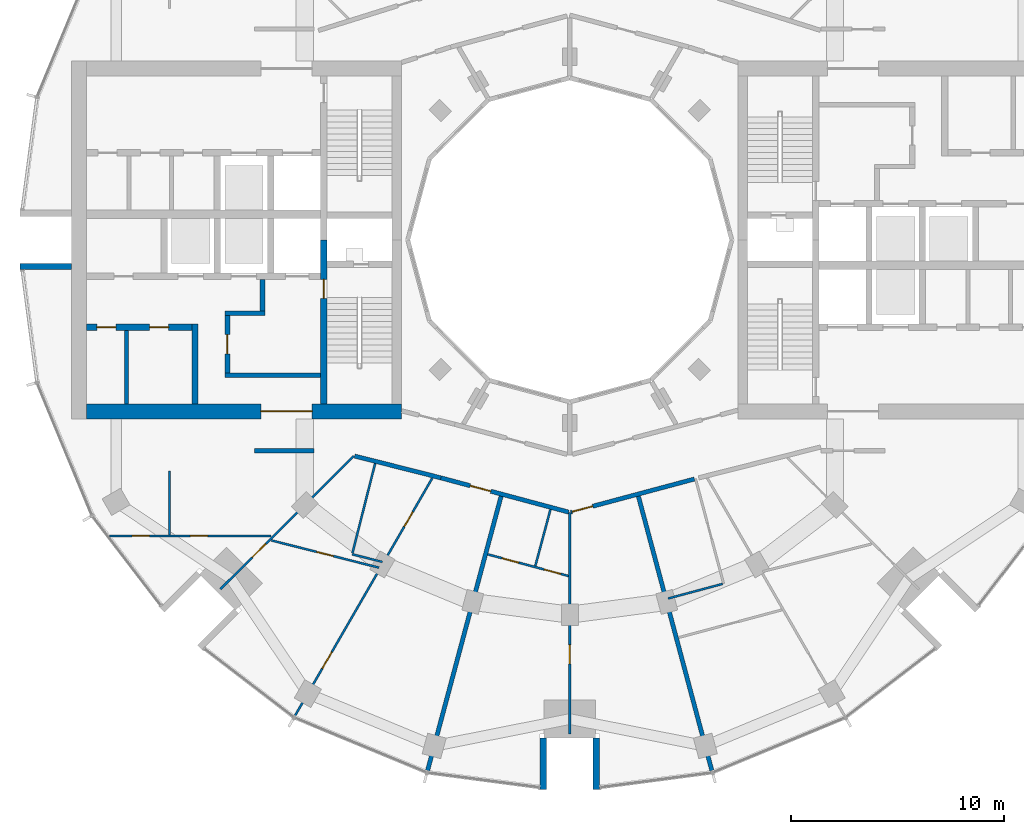
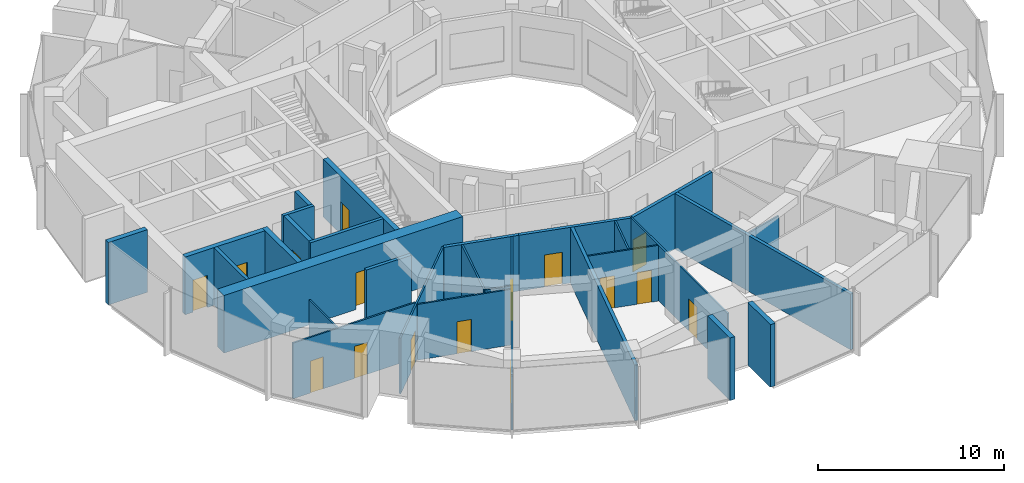
# One storey, part 8 of 15: 29 walls, 16 doors, 16 openings.
"""IFC4 building model written with IfcOpenShell, lengths in metres."""

import ifcopenshell
import ifcopenshell.guid

model = None  # the IFC model being written
_history = None  # IfcOwnerHistory: only IFC2X3 demands one
_inside = {}  # id of a spatial element -> (the spatial element, [elements in it])
_under = {}  # id of a project, library or spatial element -> (it, [spatial elements below it])
_declared = {}  # id of a project -> (the project, [libraries it declares])
_typed = {}  # id of a type object -> (the type object, [elements of that type])
_made_of = {}  # id of a material, layer set ... -> (it, [elements and type objects made of it])


def new_model(schema):
    """Start an empty IFC model of exactly this schema.

    Asked for "IFC4X3", IfcOpenShell would pick the latest addendum, in which some entities
    have other attributes; the version numbers below select the first issue.
    IFC2X3 requires an IfcOwnerHistory on every rooted entity: one is made here for all.
    """
    global model, _history
    if schema == "IFC4X3":
        model = ifcopenshell.file(schema_version=(4, 3, 0, 0))
    else:
        model = ifcopenshell.file(schema=schema)
    _inside.clear()
    _under.clear()
    _declared.clear()
    _typed.clear()
    _made_of.clear()
    _history = None
    if model.schema == "IFC2X3":
        org = make("IfcOrganization", Name="unknown")
        user = make(
            "IfcPersonAndOrganization",
            ThePerson=make("IfcPerson", FamilyName="unknown"),
            TheOrganization=org,
        )
        app = make(
            "IfcApplication",
            ApplicationDeveloper=org,
            Version="unknown",
            ApplicationFullName="unknown",
            ApplicationIdentifier="unknown",
        )
        _history = make(
            "IfcOwnerHistory",
            OwningUser=user,
            OwningApplication=app,
            ChangeAction="ADDED",
            CreationDate=0,
        )
    return model


def make(cls, **values):
    """One entity of the class cls with the attributes given. An attribute that is None is left unset."""
    return model.create_entity(
        cls, **{name: value for name, value in values.items() if value is not None}
    )


def rooted(cls, **values):
    """An entity with a GlobalId (a new one), such as an element, a storey or a relation."""
    return make(cls, GlobalId=ifcopenshell.guid.new(), OwnerHistory=_history, **values)


def si_unit(unit_type, name, prefix=None):
    """IfcSIUnit, for example si_unit("LENGTHUNIT", "METRE", prefix="MILLI")."""
    return make("IfcSIUnit", UnitType=unit_type, Prefix=prefix, Name=name)


def assignment(units):
    """IfcUnitAssignment: the units of a project."""
    return None if units is None else make("IfcUnitAssignment", Units=units)


def point(xyz):
    """IfcCartesianPoint."""
    return None if xyz is None else make("IfcCartesianPoint", Coordinates=xyz)


def direction(xyz):
    """IfcDirection."""
    return None if xyz is None else make("IfcDirection", DirectionRatios=xyz)


def frame(location, z_axis=None, x_axis=None):
    """IfcAxis2Placement3D, a coordinate frame: its origin and axes. An axis left out is left unset."""
    return make(
        "IfcAxis2Placement3D",
        Location=point(location),
        Axis=direction(z_axis),
        RefDirection=direction(x_axis),
    )


def frame_2d(location, x_axis=None):
    """IfcAxis2Placement2D, a coordinate frame in the plane: its origin and x axis."""
    return make(
        "IfcAxis2Placement2D", Location=point(location), RefDirection=direction(x_axis)
    )


def origin():
    """The frame at (0, 0, 0) with its axes left unset."""
    return frame((0.0, 0.0, 0.0))


def place(relative_to, where):
    """IfcLocalPlacement: puts the frame where relative to a parent placement (None: the world)."""
    return make(
        "IfcLocalPlacement", PlacementRelTo=relative_to, RelativePlacement=where
    )


def context(
    kind, dimensions, precision=None, world=None, true_north=None, identifier=None
):
    """IfcGeometricRepresentationContext, for example the 3D "Model" context."""
    return make(
        "IfcGeometricRepresentationContext",
        ContextIdentifier=identifier,
        ContextType=kind,
        CoordinateSpaceDimension=dimensions,
        Precision=precision,
        WorldCoordinateSystem=world,
        TrueNorth=true_north,
    )


def subcontext(parent, identifier, kind, view, scale=None):
    """IfcGeometricRepresentationSubContext, for example "Body" below "Model"."""
    return make(
        "IfcGeometricRepresentationSubContext",
        ContextIdentifier=identifier,
        ContextType=kind,
        ParentContext=parent,
        TargetScale=scale,
        TargetView=view,
    )


def project(units=None, contexts=None):
    """IfcProject with its units and contexts."""
    return rooted(
        "IfcProject",
        Name="project",
        RepresentationContexts=contexts,
        UnitsInContext=assignment(units),
    )


def spatial(cls, under=None, at=None, **own):
    """A site, building, storey or space (cls), placed at a placement, below another one or the project."""
    s = rooted(cls, ObjectPlacement=at, **own)
    if under is not None:
        _under.setdefault(under.id(), (under, []))[1].append(s)
    return s


def profile(cls, at=None, kind="AREA", **sizes):
    """A parametric profile (cls). Its sizes go by their IFC names, for example OverallWidth=200.0."""
    return make(cls, ProfileType=kind, Position=at, **sizes)


def rectangle(**sizes):
    """IfcRectangleProfileDef."""
    return profile("IfcRectangleProfileDef", **sizes)


def extrude(swept, where, along, depth):
    """IfcExtrudedAreaSolid: the profile swept, set in the frame where, extruded along a direction by depth."""
    return make(
        "IfcExtrudedAreaSolid",
        SweptArea=swept,
        Position=where,
        ExtrudedDirection=direction(along),
        Depth=depth,
    )


def shape(context_of_items, identifier, shape_type, items):
    """IfcShapeRepresentation: the items that make up one representation, for example the "Body"."""
    return make(
        "IfcShapeRepresentation",
        ContextOfItems=context_of_items,
        RepresentationIdentifier=identifier,
        RepresentationType=shape_type,
        Items=items,
    )


def material(Name=None, Category=None):
    """IfcMaterial."""
    return make("IfcMaterial", Name=Name, Category=Category)


def layer(
    of_material, thickness, ventilated=None, Name=None, Category=None, Priority=None
):
    """IfcMaterialLayer: one layer of a wall or slab, of a material (None: an air gap)."""
    return make(
        "IfcMaterialLayer",
        Material=of_material,
        LayerThickness=thickness,
        IsVentilated=ventilated,
        Name=Name,
        Category=Category,
        Priority=Priority,
    )


def layer_set(layers, Name=None):
    """IfcMaterialLayerSet."""
    return make("IfcMaterialLayerSet", MaterialLayers=layers, LayerSetName=Name)


def made_of(thing, what):
    """Note that an element or type object is made of a material, layer set ...; save() writes the relation."""
    if what is not None:
        _made_of.setdefault(what.id(), (what, []))[1].append(thing)
    return thing


def type_object(cls, material=None, **own):
    """A type object (cls), such as IfcWallType, which elements share."""
    return made_of(rooted(cls, **own), material)


def element(
    cls,
    number,
    at=None,
    inside=None,
    cuts=None,
    type_object=None,
    material=None,
    context=None,
    identifier="Body",
    shape_type=None,
    held_by="IfcProductDefinitionShape",
    body=None,
    shapes=None,
    **own,
):
    """One element of the class cls, such as IfcWall. Its Tag is "e" and its number.

    at: its placement. inside: the storey or other place that contains it. cuts: it is an
    opening in that element (IfcRelVoidsElement). A single representation is given by context,
    identifier, shape_type and body (its items); several are given by shapes. held_by: the class
    of the entity that holds the representations. save() writes the other relations.
    """
    e = rooted(cls, Tag="e%d" % number, ObjectPlacement=at, **own)
    if body is not None:
        shapes = [shape(context, identifier, shape_type, body)]
    if shapes is not None:
        e.Representation = make(held_by, Representations=shapes)
    if inside is not None:
        _inside.setdefault(inside.id(), (inside, []))[1].append(e)
    if cuts is not None:
        rooted(
            "IfcRelVoidsElement", RelatingBuildingElement=cuts, RelatedOpeningElement=e
        )
    if type_object is not None:
        _typed.setdefault(type_object.id(), (type_object, []))[1].append(e)
    return made_of(e, material)


def fill(opening, filler):
    """IfcRelFillsElement: the door or window that sits in an opening."""
    return rooted(
        "IfcRelFillsElement",
        RelatingOpeningElement=opening,
        RelatedBuildingElement=filler,
    )


def aggregate(whole, parts):
    """IfcRelAggregates: a whole, such as a stair, and the parts it consists of."""
    return rooted("IfcRelAggregates", RelatingObject=whole, RelatedObjects=parts)


def save(model, path):
    """Write the relations noted so far, then the file.

    IfcRelAggregates (storeys below a building ...), IfcRelContainedInSpatialStructure (elements
    in a storey), IfcRelDefinesByType, IfcRelAssociatesMaterial and IfcRelDeclares: one each for
    every whole, place, type object, material and project.
    """
    for whole, parts in _under.values():
        aggregate(whole, parts)
    for where, things in _inside.values():
        rooted(
            "IfcRelContainedInSpatialStructure",
            RelatedElements=things,
            RelatingStructure=where,
        )
    for kind, things in _typed.values():
        rooted("IfcRelDefinesByType", RelatedObjects=things, RelatingType=kind)
    for what, things in _made_of.values():
        rooted("IfcRelAssociatesMaterial", RelatedObjects=things, RelatingMaterial=what)
    for by, libraries in _declared.values():
        rooted("IfcRelDeclares", RelatingContext=by, RelatedDefinitions=libraries)
    model.write(path)


model = new_model("IFC4")

# Units and contexts
model_context = context("Model", 3, precision=1e-05, world=origin(), true_north=direction((0.0, 1.0)))
body_context = subcontext(model_context, "Body", "Model", "MODEL_VIEW")
ifc_project = project(units=[si_unit("LENGTHUNIT", "METRE"), si_unit("AREAUNIT", "SQUARE_METRE"), si_unit("VOLUMEUNIT", "CUBIC_METRE"), si_unit("PLANEANGLEUNIT", "RADIAN"), si_unit("MASSUNIT", "GRAM", prefix="KILO")], contexts=[model_context])

# Site, building, storey
site_placement = place(None, origin())
site = spatial("IfcSite", under=ifc_project, at=site_placement, CompositionType="ELEMENT")
building_placement = place(site_placement, origin())
building = spatial("IfcBuilding", under=site, at=building_placement, Name="Torre Brocal", CompositionType="ELEMENT")
storey_placement = place(building_placement, frame((0.0, 0.0, 182.300048828125)))
storey = spatial("IfcBuildingStorey", under=building, at=storey_placement, Name="L42", CompositionType="ELEMENT", Elevation=182.300048828125)

# Walls
ifc_material_1 = material(Name="Masonry block", Category="masonry")
ifc_layer_1 = layer(ifc_material_1, 0.199951171875)
ifc_layer_set_1 = layer_set([ifc_layer_1], Name="Masonry block")
wall_type_1 = type_object("IfcWallType", Name="CORE PARTITION 200", PredefinedType="PARTITIONING", material=ifc_layer_set_1)
wall_1_placement = place(storey_placement, frame((59.180908203125, 70.75, 0.0), z_axis=(0.0, 0.0, 1.0), x_axis=(0.0, -1.0, 0.0)))
element("IfcWall", 1, at=wall_1_placement, inside=storey, type_object=wall_type_1, Name="Wall CP200", PredefinedType="PARTITIONING", context=body_context, shape_type="SweptSolid", body=[
    extrude(rectangle(XDim=3.449951171875, YDim=0.199951171875, at=frame_2d((1.72509765625, 0.0))), origin(), (0.0, 0.0, 1.0), 3.780029296875),
])
ifc_material_2 = material(Name="Concrete C70", Category="concrete")
ifc_layer_2 = layer(ifc_material_2, 0.199951171875)
ifc_layer_set_2 = layer_set([ifc_layer_2], Name="Concrete C70")
wall_type_2 = type_object("IfcWallType", Name="CORE WALL 200 C70", PredefinedType="SHEAR", material=ifc_layer_set_2)
wall_2_placement = place(storey_placement, frame((68.300048828125, 68.64990234375, 0.0), z_axis=(0.0, 0.0, 1.0), x_axis=(-1.0, 0.0, 0.0)))
element("IfcWall", 2, at=wall_2_placement, inside=storey, type_object=wall_type_2, Name="Wall CW200-70", PredefinedType="SHEAR", context=body_context, shape_type="SweptSolid", body=[
    extrude(rectangle(XDim=4.5, YDim=0.199951171875, at=frame_2d((2.25, 0.0))), origin(), (0.0, 0.0, 1.0), 3.780029296875),
])
wall_3_placement = place(storey_placement, frame((65.699951171875, 71.550048828125, 0.0), z_axis=(0.0, 0.0, 1.0), x_axis=(-1.0, 0.0, 0.0)))
element("IfcWall", 3, at=wall_3_placement, inside=storey, type_object=wall_type_2, Name="Wall CW200-70", PredefinedType="SHEAR", context=body_context, shape_type="SweptSolid", body=[
    extrude(rectangle(XDim=1.89990234375, YDim=0.199951171875, at=frame_2d((0.949951171875, 0.0))), origin(), (0.0, 0.0, 1.0), 3.780029296875),
])

# Wall, opening, door
ifc_material_3 = material(Name="Concrete C70", Category="concrete")
ifc_layer_3 = layer(ifc_material_3, 0.25)
ifc_layer_set_3 = layer_set([ifc_layer_3], Name="Concrete C70")
wall_type_3 = type_object("IfcWallType", Name="CORE WALL 250 C70", PredefinedType="SHEAR", material=ifc_layer_set_3)
wall_4_placement = place(storey_placement, frame((63.925048828125, 71.449951171875, 0.0), z_axis=(0.0, 0.0, 1.0), x_axis=(0.0, -1.0, 0.0)))
wall_4 = element("IfcWall", 4, at=wall_4_placement, inside=storey, type_object=wall_type_3, Name="Wall CW250-70", PredefinedType="SHEAR", context=body_context, shape_type="SweptSolid", body=[
    extrude(rectangle(XDim=2.699951171875, YDim=0.25, at=frame_2d((1.35009765625, 0.0))), origin(), (0.0, 0.0, 1.0), 3.780029296875),
])
opening_1_placement = place(wall_4_placement, frame((0.89990234375, 0.0, 0.0)))
opening_1 = element("IfcOpeningElement", 5, at=opening_1_placement, cuts=wall_4, Name="Opening W-D08", PredefinedType="OPENING", context=body_context, shape_type="SweptSolid", body=[
    extrude(rectangle(XDim=0.89990234375, YDim=2.10009765625, at=frame_2d((0.449951171875, 1.050048828125))), frame((0.0, 0.135009765625, 0.0), z_axis=(0.0, -1.0, 0.0), x_axis=(1.0, 0.0, 0.0)), (0.0, 0.0, 1.0), 0.27001953125),
])
ifc_material_4 = material(Name="Steel A653", Category="steel")
door_type_1 = type_object("IfcDoorType", Name="LOBBY DOOR FD120 900X2100", OperationType="SINGLE_SWING_RIGHT", PredefinedType="DOOR", material=ifc_material_4)
door_1_placement = place(opening_1_placement, origin())
door_1 = element("IfcDoor", 6, at=door_1_placement, inside=storey, type_object=door_type_1, Name="Door W-D08", OperationType="SINGLE_SWING_LEFT", OverallHeight=2.10009765625, OverallWidth=0.89990234375, PredefinedType="DOOR", context=body_context, shape_type="SweptSolid", body=[
    extrude(rectangle(XDim=0.89990234375, YDim=2.10009765625, at=frame_2d((0.449951171875, 1.050048828125))), frame((0.0, 0.02490234375, 0.0), z_axis=(0.0, -1.0, 0.0), x_axis=(1.0, 0.0, 0.0)), (0.0, 0.0, 1.0), 0.050048828125),
])
fill(opening_1, door_1)

# Wall
wall_5_placement = place(storey_placement, frame((65.574951171875, 73.14990234375, 0.0), z_axis=(0.0, 0.0, 1.0), x_axis=(0.0, -1.0, 0.0)))
element("IfcWall", 7, at=wall_5_placement, inside=storey, type_object=wall_type_3, Name="Wall CW250-70", PredefinedType="SHEAR", context=body_context, shape_type="SweptSolid", body=[
    extrude(rectangle(XDim=1.5, YDim=0.25, at=frame_2d((0.75, 0.0))), origin(), (0.0, 0.0, 1.0), 3.780029296875),
])

# Wall, opening, door
ifc_material_5 = material(Name="Concrete C70", Category="concrete")
ifc_layer_4 = layer(ifc_material_5, 0.300048828125)
ifc_layer_set_4 = layer_set([ifc_layer_4], Name="Concrete C70")
wall_type_4 = type_object("IfcWallType", Name="CORE WALL 300 C70", PredefinedType="SHEAR", material=ifc_layer_set_4)
wall_6_placement = place(storey_placement, frame((68.449951171875, 75.0, 0.0), z_axis=(0.0, 0.0, 1.0), x_axis=(0.0, -1.0, 0.0)))
wall_6 = element("IfcWall", 8, at=wall_6_placement, inside=storey, type_object=wall_type_4, Name="Wall CW300-70", PredefinedType="SHEAR", context=body_context, shape_type="SweptSolid", body=[
    extrude(rectangle(XDim=7.699951171875, YDim=0.300048828125, at=frame_2d((3.85009765625, 0.0))), origin(), (0.0, 0.0, 1.0), 3.780029296875),
])
opening_2_placement = place(wall_6_placement, frame((1.85009765625, 0.0, 0.0)))
opening_2 = element("IfcOpeningElement", 9, at=opening_2_placement, cuts=wall_6, Name="Opening W-D02", PredefinedType="OPENING", context=body_context, shape_type="SweptSolid", body=[
    extrude(rectangle(XDim=0.89990234375, YDim=2.10009765625, at=frame_2d((0.449951171875, 1.050048828125))), frame((0.0, 0.159912109375, 0.0), z_axis=(0.0, -1.0, 0.0), x_axis=(1.0, 0.0, 0.0)), (0.0, 0.0, 1.0), 0.320068359375),
])
ifc_material_6 = material(Name="Steel A653", Category="steel")
door_type_2 = type_object("IfcDoorType", Name="STAIR DOOR FD120 900X2100", OperationType="SINGLE_SWING_RIGHT", PredefinedType="DOOR", material=ifc_material_6)
door_2_placement = place(opening_2_placement, origin())
door_2 = element("IfcDoor", 10, at=door_2_placement, inside=storey, type_object=door_type_2, Name="Door W-D02", OperationType="SINGLE_SWING_LEFT", OverallHeight=2.10009765625, OverallWidth=0.89990234375, PredefinedType="DOOR", context=body_context, shape_type="SweptSolid", body=[
    extrude(rectangle(XDim=0.89990234375, YDim=2.10009765625, at=frame_2d((0.449951171875, 1.050048828125))), frame((0.0, 0.02490234375, 0.0), z_axis=(0.0, -1.0, 0.0), x_axis=(1.0, 0.0, 0.0)), (0.0, 0.0, 1.0), 0.050048828125),
])
fill(opening_2, door_2)

# Wall
wall_7_placement = place(storey_placement, frame((62.39990234375, 71.050048828125, 0.0), z_axis=(0.0, 0.0, 1.0), x_axis=(0.0, -1.0, 0.0)))
element("IfcWall", 11, at=wall_7_placement, inside=storey, type_object=wall_type_4, Name="Wall CW300-70", PredefinedType="SHEAR", context=body_context, shape_type="SweptSolid", body=[
    extrude(rectangle(XDim=3.75, YDim=0.300048828125, at=frame_2d((1.875, 0.0))), origin(), (0.0, 0.0, 1.0), 3.780029296875),
])

# Wall, openings, doors
wall_8_placement = place(storey_placement, frame((62.25, 70.89990234375, 0.0), z_axis=(0.0, 0.0, 1.0), x_axis=(-1.0, 0.0, 0.0)))
wall_8 = element("IfcWall", 12, at=wall_8_placement, inside=storey, type_object=wall_type_4, Name="Wall CW300-70", PredefinedType="SHEAR", context=body_context, shape_type="SweptSolid", body=[
    extrude(rectangle(XDim=4.949951171875, YDim=0.300048828125, at=frame_2d((2.47509765625, 0.0))), origin(), (0.0, 0.0, 1.0), 3.780029296875),
])
opening_3_placement = place(wall_8_placement, frame((1.08447265625, 0.0, 0.0)))
opening_3 = element("IfcOpeningElement", 13, at=opening_3_placement, cuts=wall_8, Name="Opening W-D09", PredefinedType="OPENING", context=body_context, shape_type="SweptSolid", body=[
    extrude(rectangle(XDim=0.89990234375, YDim=2.10009765625, at=frame_2d((0.449951171875, 1.050048828125))), frame((0.0, 0.159912109375, 0.0), z_axis=(0.0, -1.0, 0.0), x_axis=(1.0, 0.0, 0.0)), (0.0, 0.0, 1.0), 0.320068359375),
])
opening_4_placement = place(wall_8_placement, frame((3.5595703125, 0.0, 0.0)))
opening_4 = element("IfcOpeningElement", 14, at=opening_4_placement, cuts=wall_8, Name="Opening W-D10", PredefinedType="OPENING", context=body_context, shape_type="SweptSolid", body=[
    extrude(rectangle(XDim=0.89990234375, YDim=2.10009765625, at=frame_2d((0.449951171875, 1.050048828125))), frame((0.0, 0.159912109375, 0.0), z_axis=(0.0, -1.0, 0.0), x_axis=(1.0, 0.0, 0.0)), (0.0, 0.0, 1.0), 0.320068359375),
])
ifc_material_7 = material(Name="Steel A653", Category="steel")
door_type_3 = type_object("IfcDoorType", Name="ROOM DOOR FD30S 900X2100", OperationType="SINGLE_SWING_LEFT", PredefinedType="DOOR", material=ifc_material_7)
door_3_placement = place(opening_3_placement, origin())
door_3 = element("IfcDoor", 15, at=door_3_placement, inside=storey, type_object=door_type_3, Name="Door W-D09", OperationType="SINGLE_SWING_RIGHT", OverallHeight=2.10009765625, OverallWidth=0.89990234375, PredefinedType="DOOR", context=body_context, shape_type="SweptSolid", body=[
    extrude(rectangle(XDim=0.89990234375, YDim=2.10009765625, at=frame_2d((0.449951171875, 1.050048828125))), frame((0.0, 0.02490234375, 0.0), z_axis=(0.0, -1.0, 0.0), x_axis=(1.0, 0.0, 0.0)), (0.0, 0.0, 1.0), 0.050048828125),
])
fill(opening_3, door_3)
door_4_placement = place(opening_4_placement, origin())
door_4 = element("IfcDoor", 16, at=door_4_placement, inside=storey, type_object=door_type_3, Name="Door W-D10", OperationType="SINGLE_SWING_LEFT", OverallHeight=2.10009765625, OverallWidth=0.89990234375, PredefinedType="DOOR", context=body_context, shape_type="SweptSolid", body=[
    extrude(rectangle(XDim=0.89990234375, YDim=2.10009765625, at=frame_2d((0.449951171875, 1.050048828125))), frame((0.0, 0.02490234375, 0.0), z_axis=(0.0, -1.0, 0.0), x_axis=(1.0, 0.0, 0.0)), (0.0, 0.0, 1.0), 0.050048828125),
])
fill(opening_4, door_4)

# Wall, opening, door
ifc_material_8 = material(Name="Concrete C70", Category="concrete")
ifc_layer_5 = layer(ifc_material_8, 0.699951171875)
ifc_layer_set_5 = layer_set([ifc_layer_5], Name="Concrete C70")
wall_type_5 = type_object("IfcWallType", Name="CORE WALL 700 C70", PredefinedType="SHEAR", material=ifc_layer_set_5)
wall_9_placement = place(storey_placement, frame((72.10009765625, 66.949951171875, 0.0), z_axis=(0.0, 0.0, 1.0), x_axis=(-1.0, 0.0, 0.0)))
wall_9 = element("IfcWall", 17, at=wall_9_placement, inside=storey, type_object=wall_type_5, Name="Wall CW700-70", PredefinedType="SHEAR", context=body_context, shape_type="SweptSolid", body=[
    extrude(rectangle(XDim=14.800048828125, YDim=0.699951171875, at=frame_2d((7.39990234375, 0.0))), origin(), (0.0, 0.0, 1.0), 3.780029296875),
])
opening_5_placement = place(wall_9_placement, frame((4.199951171875, 0.0, 0.0)))
opening_5 = element("IfcOpeningElement", 18, at=opening_5_placement, cuts=wall_9, Name="Opening W-D34", PredefinedType="OPENING", context=body_context, shape_type="SweptSolid", body=[
    extrude(rectangle(XDim=2.39990234375, YDim=2.39990234375, at=frame_2d((1.199951171875, 1.199951171875))), frame((0.0, 0.35986328125, 0.0), z_axis=(0.0, -1.0, 0.0), x_axis=(1.0, 0.0, 0.0)), (0.0, 0.0, 1.0), 0.719970703125),
])
ifc_material_9 = material(Name="Steel A653", Category="steel")
door_type_4 = type_object("IfcDoorType", Name="DOUBLE FIRE DOOR FD90 2400X2400", OperationType="DOUBLE_DOOR_SINGLE_SWING", PredefinedType="DOOR", material=ifc_material_9)
door_5_placement = place(opening_5_placement, frame((2.39990234375, 0.0, 0.0), z_axis=(0.0, 0.0, 1.0), x_axis=(-1.0, 0.0, 0.0)))
door_5 = element("IfcDoor", 19, at=door_5_placement, inside=storey, type_object=door_type_4, Name="Door W-D34", OperationType="DOUBLE_DOOR_SINGLE_SWING", OverallHeight=2.39990234375, OverallWidth=2.39990234375, PredefinedType="DOOR", context=body_context, shape_type="SweptSolid", body=[
    extrude(rectangle(XDim=2.39990234375, YDim=2.39990234375, at=frame_2d((1.199951171875, 1.199951171875))), frame((0.0, 0.02490234375, 0.0), z_axis=(0.0, -1.0, 0.0), x_axis=(1.0, 0.0, 0.0)), (0.0, 0.0, 1.0), 0.050048828125),
])
fill(opening_5, door_5)

# Walls
ifc_material_10 = material(Name="Concrete C70", Category="concrete")
ifc_layer_6 = layer(ifc_material_10, 0.300048828125)
ifc_layer_set_6 = layer_set([ifc_layer_6], Name="Concrete C70")
wall_type_6 = type_object("IfcWallType", Name="NOTCH RETURN WALL 300 C70", PredefinedType="NOTDEFINED", material=ifc_layer_set_6)
for number, where, z_axis, x_axis, name in (
    (20, (56.60009765625, 73.75, 0.0), (0.0, 0.0, 1.0), (-1.0, 0.0, 0.0), "NOTCH RETURN WALL"),
    (21, (78.75, 51.60009765625, 0.0), (0.0, 0.0, 1.0), (0.0, -1.0, 0.0), "NOTCH RETURN WALL"),
    (22, (81.25, 51.60009765625, 0.0), (0.0, 0.0, 1.0), (0.0, -1.0, 0.0), "NOTCH RETURN WALL"),
):
    element("IfcWall", number, at=place(storey_placement, frame(where, z_axis=z_axis, x_axis=x_axis)), inside=storey, type_object=wall_type_6, Name=name, PredefinedType="NOTDEFINED", context=body_context, shape_type="SweptSolid", body=[
        extrude(rectangle(XDim=2.415771484375, YDim=0.300048828125, at=frame_2d((1.2080078125, 0.0))), origin(), (0.0, 0.0, 1.0), 4.099853515625),
    ])

# Wall, openings, doors
ifc_material_11 = material(Name="Gypsum board", Category="Gypsum")
ifc_layer_7 = layer(ifc_material_11, 0.10009765625)
ifc_layer_set_7 = layer_set([ifc_layer_7], Name="Gypsum board")
wall_type_7 = type_object("IfcWallType", Name="PARTITION 100", PredefinedType="PARTITIONING", material=ifc_layer_set_7)
wall_10_placement = place(storey_placement, frame((58.37890625, 61.10009765625, 0.0), z_axis=(0.0, 0.0, 1.0), x_axis=(1.0, 0.0, 0.0)))
wall_10 = element("IfcWall", 23, at=wall_10_placement, inside=storey, type_object=wall_type_7, Name="BATHROOM WALL", PredefinedType="PARTITIONING", context=body_context, shape_type="SweptSolid", body=[
    extrude(rectangle(XDim=7.60107421875, YDim=0.10009765625, at=frame_2d((3.800537109375, 0.0))), origin(), (0.0, 0.0, 1.0), 3.64990234375),
])
opening_6_placement = place(wall_10_placement, frame((3.81103515625, 0.0, 0.0)))
opening_6 = element("IfcOpeningElement", 24, at=opening_6_placement, cuts=wall_10, Name="Opening R03-D36", PredefinedType="OPENING", context=body_context, shape_type="SweptSolid", body=[
    extrude(rectangle(XDim=0.800048828125, YDim=2.10009765625, at=frame_2d((0.39990234375, 1.050048828125))), frame((0.0, 0.06005859375, 0.0), z_axis=(0.0, -1.0, 0.0), x_axis=(1.0, 0.0, 0.0)), (0.0, 0.0, 1.0), 0.1201171875),
])
opening_7_placement = place(wall_10_placement, frame((1.075439453125, 0.0, 0.0)))
opening_7 = element("IfcOpeningElement", 25, at=opening_7_placement, cuts=wall_10, Name="Opening R03-D37", PredefinedType="OPENING", context=body_context, shape_type="SweptSolid", body=[
    extrude(rectangle(XDim=0.800048828125, YDim=2.10009765625, at=frame_2d((0.39990234375, 1.050048828125))), frame((0.0, 0.06005859375, 0.0), z_axis=(0.0, -1.0, 0.0), x_axis=(1.0, 0.0, 0.0)), (0.0, 0.0, 1.0), 0.1201171875),
])
ifc_material_12 = material(Name="Timber", Category="wood")
door_type_5 = type_object("IfcDoorType", Name="BATHROOM DOOR 800X2100", OperationType="SINGLE_SWING_LEFT", PredefinedType="DOOR", material=ifc_material_12)
door_6_placement = place(opening_6_placement, origin())
door_6 = element("IfcDoor", 26, at=door_6_placement, inside=storey, type_object=door_type_5, Name="R03-D36", OperationType="SINGLE_SWING_LEFT", OverallHeight=2.10009765625, OverallWidth=0.800048828125, PredefinedType="DOOR", context=body_context, shape_type="SweptSolid", body=[
    extrude(rectangle(XDim=0.800048828125, YDim=2.10009765625, at=frame_2d((0.39990234375, 1.050048828125))), frame((0.0, 0.02490234375, 0.0), z_axis=(0.0, -1.0, 0.0), x_axis=(1.0, 0.0, 0.0)), (0.0, 0.0, 1.0), 0.050048828125),
])
fill(opening_6, door_6)
door_7_placement = place(opening_7_placement, frame((0.800048828125, 0.0, 0.0), z_axis=(0.0, 0.0, 1.0), x_axis=(-1.0, 0.0, 0.0)))
door_7 = element("IfcDoor", 27, at=door_7_placement, inside=storey, type_object=door_type_5, Name="R03-D37", OperationType="SINGLE_SWING_RIGHT", OverallHeight=2.10009765625, OverallWidth=0.800048828125, PredefinedType="DOOR", context=body_context, shape_type="SweptSolid", body=[
    extrude(rectangle(XDim=0.800048828125, YDim=2.10009765625, at=frame_2d((0.39990234375, 1.050048828125))), frame((0.0, 0.02490234375, 0.0), z_axis=(0.0, -1.0, 0.0), x_axis=(1.0, 0.0, 0.0)), (0.0, 0.0, 1.0), 0.050048828125),
])
fill(opening_7, door_7)

# Wall
wall_11_placement = place(storey_placement, frame((61.199951171875, 61.14990234375, 0.0), z_axis=(0.0, 0.0, 1.0), x_axis=(0.0, 1.0, 0.0)))
element("IfcWall", 28, at=wall_11_placement, inside=storey, type_object=wall_type_7, Name="BATHROOM WALL", PredefinedType="PARTITIONING", context=body_context, shape_type="SweptSolid", body=[
    extrude(rectangle(XDim=2.9951171875, YDim=0.10009765625, at=frame_2d((1.49755859375, 0.0))), origin(), (0.0, 0.0, 1.0), 3.64990234375),
])

# Wall, opening, door
wall_12_placement = place(storey_placement, frame((63.591552734375, 58.599609375, 0.0), z_axis=(0.0, 0.0, 1.0), x_axis=(0.707272108928, 0.706941414781, 0.0)))
wall_12 = element("IfcWall", 29, at=wall_12_placement, inside=storey, type_object=wall_type_7, Name="BATHROOM WALL", PredefinedType="PARTITIONING", context=body_context, shape_type="SweptSolid", body=[
    extrude(rectangle(XDim=8.859130859375, YDim=0.10009765625, at=frame_2d((4.4296875, 0.0))), origin(), (0.0, 0.0, 1.0), 3.64990234375),
])
opening_8_placement = place(wall_12_placement, frame((2.11083984375, 0.0, 0.0)))
opening_8 = element("IfcOpeningElement", 30, at=opening_8_placement, cuts=wall_12, Name="Opening R03-D35", PredefinedType="OPENING", context=body_context, shape_type="SweptSolid", body=[
    extrude(rectangle(XDim=0.89990234375, YDim=2.10009765625, at=frame_2d((0.449951171875, 1.050048828125))), frame((0.0, 0.06005859375, 0.0), z_axis=(0.0, -1.0, 0.0), x_axis=(1.0, 0.0, 0.0)), (0.0, 0.0, 1.0), 0.1201171875),
])
ifc_material_13 = material(Name="Timber", Category="wood")
door_type_6 = type_object("IfcDoorType", Name="ROOM DOOR 900X2100", OperationType="SINGLE_SWING_LEFT", PredefinedType="DOOR", material=ifc_material_13)
door_8_placement = place(opening_8_placement, origin())
door_8 = element("IfcDoor", 31, at=door_8_placement, inside=storey, type_object=door_type_6, Name="R03-D35", OperationType="SINGLE_SWING_LEFT", OverallHeight=2.10009765625, OverallWidth=0.89990234375, PredefinedType="DOOR", context=body_context, shape_type="SweptSolid", body=[
    extrude(rectangle(XDim=0.89990234375, YDim=2.10009765625, at=frame_2d((0.449951171875, 1.050048828125))), frame((0.0, 0.02490234375, 0.0), z_axis=(0.0, -1.0, 0.0), x_axis=(1.0, 0.0, 0.0)), (0.0, 0.0, 1.0), 0.050048828125),
])
fill(opening_8, door_8)

wall_13_placement = place(storey_placement, frame((65.986572265625, 60.889404296875, 0.0), z_axis=(0.0, 0.0, 1.0), x_axis=(0.969431303535, -0.245362889871, 0.0)))
wall_13 = element("IfcWall", 32, at=wall_13_placement, inside=storey, type_object=wall_type_7, Name="BATHROOM WALL", PredefinedType="PARTITIONING", context=body_context, shape_type="SweptSolid", body=[
    extrude(rectangle(XDim=5.219970703125, YDim=0.10009765625, at=frame_2d((2.60986328125, 0.0))), origin(), (0.0, 0.0, 1.0), 3.64990234375),
])
opening_9_placement = place(wall_13_placement, frame((2.199951171875, 0.0, 0.0)))
opening_9 = element("IfcOpeningElement", 33, at=opening_9_placement, cuts=wall_13, Name="Opening R03-D33", PredefinedType="OPENING", context=body_context, shape_type="SweptSolid", body=[
    extrude(rectangle(XDim=0.800048828125, YDim=2.10009765625, at=frame_2d((0.39990234375, 1.050048828125))), frame((0.0, 0.06005859375, 0.0), z_axis=(0.0, -1.0, 0.0), x_axis=(1.0, 0.0, 0.0)), (0.0, 0.0, 1.0), 0.1201171875),
])
door_9_placement = place(opening_9_placement, origin())
door_9 = element("IfcDoor", 34, at=door_9_placement, inside=storey, type_object=door_type_5, Name="R03-D33", OperationType="SINGLE_SWING_RIGHT", OverallHeight=2.10009765625, OverallWidth=0.800048828125, PredefinedType="DOOR", context=body_context, shape_type="SweptSolid", body=[
    extrude(rectangle(XDim=0.800048828125, YDim=2.10009765625, at=frame_2d((0.39990234375, 1.050048828125))), frame((0.0, 0.02490234375, 0.0), z_axis=(0.0, -1.0, 0.0), x_axis=(1.0, 0.0, 0.0)), (0.0, 0.0, 1.0), 0.050048828125),
])
fill(opening_9, door_9)

# Wall, openings, doors
wall_14_placement = place(storey_placement, frame((67.099365234375, 52.65966796875, 0.0), z_axis=(0.0, 0.0, 1.0), x_axis=(0.500286442712, 0.865859962834, 0.0)))
wall_14 = element("IfcWall", 35, at=wall_14_placement, inside=storey, type_object=wall_type_7, Name="BATHROOM WALL", PredefinedType="PARTITIONING", context=body_context, shape_type="SweptSolid", body=[
    extrude(rectangle(XDim=12.87646484375, YDim=0.10009765625, at=frame_2d((6.438232421875, 0.0))), origin(), (0.0, 0.0, 1.0), 3.64990234375),
])
opening_10_placement = place(wall_14_placement, frame((2.555908203125, 0.0, 0.0)))
opening_10 = element("IfcOpeningElement", 36, at=opening_10_placement, cuts=wall_14, Name="Opening R03-D32", PredefinedType="OPENING", context=body_context, shape_type="SweptSolid", body=[
    extrude(rectangle(XDim=0.89990234375, YDim=2.10009765625, at=frame_2d((0.449951171875, 1.050048828125))), frame((0.0, 0.06005859375, 0.0), z_axis=(0.0, -1.0, 0.0), x_axis=(1.0, 0.0, 0.0)), (0.0, 0.0, 1.0), 0.1201171875),
])
opening_11_placement = place(wall_14_placement, frame((10.247802734375, 0.0, 0.0)))
opening_11 = element("IfcOpeningElement", 37, at=opening_11_placement, cuts=wall_14, Name="Opening R03-D34", PredefinedType="OPENING", context=body_context, shape_type="SweptSolid", body=[
    extrude(rectangle(XDim=0.800048828125, YDim=2.10009765625, at=frame_2d((0.39990234375, 1.050048828125))), frame((0.0, 0.06005859375, 0.0), z_axis=(0.0, -1.0, 0.0), x_axis=(1.0, 0.0, 0.0)), (0.0, 0.0, 1.0), 0.1201171875),
])
door_10_placement = place(opening_11_placement, origin())
door_10 = element("IfcDoor", 38, at=door_10_placement, inside=storey, type_object=door_type_5, Name="R03-D34", OperationType="SINGLE_SWING_RIGHT", OverallHeight=2.10009765625, OverallWidth=0.800048828125, PredefinedType="DOOR", context=body_context, shape_type="SweptSolid", body=[
    extrude(rectangle(XDim=0.800048828125, YDim=2.10009765625, at=frame_2d((0.39990234375, 1.050048828125))), frame((0.0, 0.02490234375, 0.0), z_axis=(0.0, -1.0, 0.0), x_axis=(1.0, 0.0, 0.0)), (0.0, 0.0, 1.0), 0.050048828125),
])
fill(opening_11, door_10)
door_11_placement = place(opening_10_placement, origin())
door_11 = element("IfcDoor", 39, at=door_11_placement, inside=storey, type_object=door_type_6, Name="R03-D32", OperationType="SINGLE_SWING_LEFT", OverallHeight=2.10009765625, OverallWidth=0.89990234375, PredefinedType="DOOR", context=body_context, shape_type="SweptSolid", body=[
    extrude(rectangle(XDim=0.89990234375, YDim=2.10009765625, at=frame_2d((0.449951171875, 1.050048828125))), frame((0.0, 0.02490234375, 0.0), z_axis=(0.0, -1.0, 0.0), x_axis=(1.0, 0.0, 0.0)), (0.0, 0.0, 1.0), 0.050048828125),
])
fill(opening_10, door_11)

# Walls
wall_15_placement = place(storey_placement, frame((69.793212890625, 60.28662109375, 0.0), z_axis=(0.0, 0.0, 1.0), x_axis=(0.245307703654, 0.969445269486, 0.0)))
element("IfcWall", 40, at=wall_15_placement, inside=storey, type_object=wall_type_7, Name="BATHROOM WALL", PredefinedType="PARTITIONING", context=body_context, shape_type="SweptSolid", body=[
    extrude(rectangle(XDim=4.35009765625, YDim=0.10009765625, at=frame_2d((2.175048828125, 0.0))), origin(), (0.0, 0.0, 1.0), 3.64990234375),
])
wall_16_placement = place(storey_placement, frame((69.781005859375, 60.238037109375, 0.0), z_axis=(0.0, 0.0, 1.0), x_axis=(0.969502558328, -0.245081189397, 0.0)))
element("IfcWall", 41, at=wall_16_placement, inside=storey, type_object=wall_type_7, Name="BATHROOM WALL", PredefinedType="PARTITIONING", context=body_context, shape_type="SweptSolid", body=[
    extrude(rectangle(XDim=1.46630859375, YDim=0.10009765625, at=frame_2d((0.733154296875, 0.0))), origin(), (0.0, 0.0, 1.0), 3.64990234375),
])

# Wall, openings, doors
wall_17_placement = place(storey_placement, frame((76.14697265625, 60.234130859375, 0.0), z_axis=(0.0, 0.0, 1.0), x_axis=(0.965925861199, -0.258818914816, 0.0)))
wall_17 = element("IfcWall", 42, at=wall_17_placement, inside=storey, type_object=wall_type_7, Name="BATHROOM WALL", PredefinedType="PARTITIONING", context=body_context, shape_type="SweptSolid", body=[
    extrude(rectangle(XDim=3.9287109375, YDim=0.10009765625, at=frame_2d((1.96435546875, 0.0))), origin(), (0.0, 0.0, 1.0), 3.64990234375),
])
opening_12_placement = place(wall_17_placement, frame((0.699951171875, 0.0, 0.0)))
opening_12 = element("IfcOpeningElement", 43, at=opening_12_placement, cuts=wall_17, Name="Opening R03-D29", PredefinedType="OPENING", context=body_context, shape_type="SweptSolid", body=[
    extrude(rectangle(XDim=0.800048828125, YDim=2.10009765625, at=frame_2d((0.39990234375, 1.050048828125))), frame((0.0, 0.06005859375, 0.0), z_axis=(0.0, -1.0, 0.0), x_axis=(1.0, 0.0, 0.0)), (0.0, 0.0, 1.0), 0.1201171875),
])
opening_13_placement = place(wall_17_placement, frame((2.74462890625, 0.0, 0.0)))
opening_13 = element("IfcOpeningElement", 44, at=opening_13_placement, cuts=wall_17, Name="Opening R03-D30", PredefinedType="OPENING", context=body_context, shape_type="SweptSolid", body=[
    extrude(rectangle(XDim=0.800048828125, YDim=2.10009765625, at=frame_2d((0.39990234375, 1.050048828125))), frame((0.0, 0.06005859375, 0.0), z_axis=(0.0, -1.0, 0.0), x_axis=(1.0, 0.0, 0.0)), (0.0, 0.0, 1.0), 0.1201171875),
])
door_12_placement = place(opening_12_placement, origin())
door_12 = element("IfcDoor", 45, at=door_12_placement, inside=storey, type_object=door_type_5, Name="R03-D29", OperationType="SINGLE_SWING_LEFT", OverallHeight=2.10009765625, OverallWidth=0.800048828125, PredefinedType="DOOR", context=body_context, shape_type="SweptSolid", body=[
    extrude(rectangle(XDim=0.800048828125, YDim=2.10009765625, at=frame_2d((0.39990234375, 1.050048828125))), frame((0.0, 0.02490234375, 0.0), z_axis=(0.0, -1.0, 0.0), x_axis=(1.0, 0.0, 0.0)), (0.0, 0.0, 1.0), 0.050048828125),
])
fill(opening_12, door_12)
door_13_placement = place(opening_13_placement, origin())
door_13 = element("IfcDoor", 46, at=door_13_placement, inside=storey, type_object=door_type_5, Name="R03-D30", OperationType="SINGLE_SWING_RIGHT", OverallHeight=2.10009765625, OverallWidth=0.800048828125, PredefinedType="DOOR", context=body_context, shape_type="SweptSolid", body=[
    extrude(rectangle(XDim=0.800048828125, YDim=2.10009765625, at=frame_2d((0.39990234375, 1.050048828125))), frame((0.0, 0.02490234375, 0.0), z_axis=(0.0, -1.0, 0.0), x_axis=(1.0, 0.0, 0.0)), (0.0, 0.0, 1.0), 0.050048828125),
])
fill(opening_13, door_13)

# Wall
wall_18_placement = place(storey_placement, frame((78.3818359375, 59.687255859375, 0.0), z_axis=(0.0, 0.0, 1.0), x_axis=(0.258629573817, 0.965976575051, 0.0)))
element("IfcWall", 47, at=wall_18_placement, inside=storey, type_object=wall_type_7, Name="BATHROOM WALL", PredefinedType="PARTITIONING", context=body_context, shape_type="SweptSolid", body=[
    extrude(rectangle(XDim=2.749755859375, YDim=0.10009765625, at=frame_2d((1.375, 0.0))), origin(), (0.0, 0.0, 1.0), 3.64990234375),
])

# Wall, opening, door
wall_19_placement = place(storey_placement, frame((80.0, 51.800048828125, 0.0), z_axis=(0.0, 0.0, 1.0), x_axis=(0.0, 1.0, 0.0)))
wall_19 = element("IfcWall", 48, at=wall_19_placement, inside=storey, type_object=wall_type_7, Name="BATHROOM WALL", PredefinedType="PARTITIONING", context=body_context, shape_type="SweptSolid", body=[
    extrude(rectangle(XDim=10.404052734375, YDim=0.10009765625, at=frame_2d((5.2021484375, 0.0))), origin(), (0.0, 0.0, 1.0), 3.64990234375),
])
opening_14_placement = place(wall_19_placement, frame((3.285888671875, 0.0, 0.0)))
opening_14 = element("IfcOpeningElement", 49, at=opening_14_placement, cuts=wall_19, Name="Opening R03-D28", PredefinedType="OPENING", context=body_context, shape_type="SweptSolid", body=[
    extrude(rectangle(XDim=0.89990234375, YDim=2.10009765625, at=frame_2d((0.449951171875, 1.050048828125))), frame((0.0, 0.06005859375, 0.0), z_axis=(0.0, -1.0, 0.0), x_axis=(1.0, 0.0, 0.0)), (0.0, 0.0, 1.0), 0.1201171875),
])
door_14_placement = place(opening_14_placement, origin())
door_14 = element("IfcDoor", 50, at=door_14_placement, inside=storey, type_object=door_type_6, Name="R03-D28", OperationType="SINGLE_SWING_LEFT", OverallHeight=2.10009765625, OverallWidth=0.89990234375, PredefinedType="DOOR", context=body_context, shape_type="SweptSolid", body=[
    extrude(rectangle(XDim=0.89990234375, YDim=2.10009765625, at=frame_2d((0.449951171875, 1.050048828125))), frame((0.0, 0.02490234375, 0.0), z_axis=(0.0, -1.0, 0.0), x_axis=(1.0, 0.0, 0.0)), (0.0, 0.0, 1.0), 0.050048828125),
])
fill(opening_14, door_14)

# Walls
ifc_material_14 = material(Name="Gypsum board", Category="Gypsum")
ifc_layer_8 = layer(ifc_material_14, 0.10009765625)
ifc_layer_set_8 = layer_set([ifc_layer_8], Name="Gypsum board")
wall_type_8 = type_object("IfcWallType", Name="PARTITION 100 UNDER BEAM 820", PredefinedType="PARTITIONING", material=ifc_layer_set_8)
wall_20_placement = place(storey_placement, frame((84.615478515625, 58.160888671875, 0.0), z_axis=(0.0, 0.0, 1.0), x_axis=(0.965902408875, 0.258906424273, 0.0)))
element("IfcWall", 51, at=wall_20_placement, inside=storey, type_object=wall_type_8, Name="BATHROOM WALL", PredefinedType="PARTITIONING", context=body_context, shape_type="SweptSolid", body=[
    extrude(rectangle(XDim=2.650634765625, YDim=0.10009765625, at=frame_2d((1.3251953125, 0.0))), origin(), (0.0, 0.0, 1.0), 3.280029296875),
])
ifc_material_15 = material(Name="Gypsum board", Category="Gypsum")
ifc_layer_9 = layer(ifc_material_15, 0.199951171875)
ifc_layer_set_9 = layer_set([ifc_layer_9], Name="Gypsum board")
wall_type_9 = type_object("IfcWallType", Name="PARTITION 200 EI60", PredefinedType="PARTITIONING", material=ifc_layer_set_9)
wall_21_placement = place(storey_placement, frame((65.199951171875, 65.10009765625, 0.0), z_axis=(0.0, 0.0, 1.0), x_axis=(1.0, 0.0, 0.0)))
element("IfcWall", 52, at=wall_21_placement, inside=storey, type_object=wall_type_9, Name="GUESTROOM CORRIDOR WALL", PredefinedType="PARTITIONING", context=body_context, shape_type="SweptSolid", body=[
    extrude(rectangle(XDim=2.800048828125, YDim=0.199951171875, at=frame_2d((1.39990234375, 0.0))), origin(), (0.0, 0.0, 1.0), 3.64990234375),
])
wall_22_placement = place(storey_placement, frame((69.898681640625, 64.850341796875, 0.0), z_axis=(0.0, 0.0, 1.0), x_axis=(0.969429930153, -0.245368316057, 0.0)))
element("IfcWall", 53, at=wall_22_placement, inside=storey, type_object=wall_type_9, Name="FLAT ENTRANCE WALL", PredefinedType="PARTITIONING", context=body_context, shape_type="SweptSolid", body=[
    extrude(rectangle(XDim=4.176025390625, YDim=0.199951171875, at=frame_2d((2.087890625, 0.0))), origin(), (0.0, 0.0, 1.0), 3.64990234375),
])
wall_23_placement = place(storey_placement, frame((73.322021484375, 50.0810546875, 0.0), z_axis=(0.0, 0.0, 1.0), x_axis=(0.258965725415, 0.965886511481, 0.0)))
element("IfcWall", 54, at=wall_23_placement, inside=storey, type_object=wall_type_9, Name="BATHROOM WALL", PredefinedType="PARTITIONING", context=body_context, shape_type="SweptSolid", body=[
    extrude(rectangle(XDim=13.338134765625, YDim=0.199951171875, at=frame_2d((6.6689453125, 0.0))), origin(), (0.0, 0.0, 1.0), 3.64990234375),
])

# Wall, opening, door
wall_24_placement = place(storey_placement, frame((73.947021484375, 63.826171875, 0.0), z_axis=(0.0, 0.0, 1.0), x_axis=(0.965898432367, -0.258921258979, 0.0)))
wall_24 = element("IfcWall", 55, at=wall_24_placement, inside=storey, type_object=wall_type_9, Name="FLAT ENTRANCE WALL", PredefinedType="PARTITIONING", context=body_context, shape_type="SweptSolid", body=[
    extrude(rectangle(XDim=6.216552734375, YDim=0.199951171875, at=frame_2d((3.1083984375, 0.0))), origin(), (0.0, 0.0, 1.0), 3.64990234375),
])
opening_15_placement = place(wall_24_placement, frame((1.42431640625, 0.0, 0.0)))
opening_15 = element("IfcOpeningElement", 56, at=opening_15_placement, cuts=wall_24, Name="Opening R03-D31", PredefinedType="OPENING", context=body_context, shape_type="SweptSolid", body=[
    extrude(rectangle(XDim=1.0, YDim=2.10009765625, at=frame_2d((0.5, 1.050048828125))), frame((0.0, 0.10986328125, 0.0), z_axis=(0.0, -1.0, 0.0), x_axis=(1.0, 0.0, 0.0)), (0.0, 0.0, 1.0), 0.219970703125),
])
ifc_material_16 = material(Name="Timber", Category="wood")
door_type_7 = type_object("IfcDoorType", Name="FLAT ENTRY DOOR FD30S 1000X2100", OperationType="SINGLE_SWING_RIGHT", PredefinedType="DOOR", material=ifc_material_16)
door_15_placement = place(opening_15_placement, frame((1.0, 0.0, 0.0), z_axis=(0.0, 0.0, 1.0), x_axis=(-1.0, 0.0, 0.0)))
door_15 = element("IfcDoor", 57, at=door_15_placement, inside=storey, type_object=door_type_7, Name="R03-D31", OperationType="SINGLE_SWING_LEFT", OverallHeight=2.10009765625, OverallWidth=1.0, PredefinedType="DOOR", context=body_context, shape_type="SweptSolid", body=[
    extrude(rectangle(XDim=1.0, YDim=2.10009765625, at=frame_2d((0.5, 1.050048828125))), frame((0.0, 0.02490234375, 0.0), z_axis=(0.0, -1.0, 0.0), x_axis=(1.0, 0.0, 0.0)), (0.0, 0.0, 1.0), 0.050048828125),
])
fill(opening_15, door_15)

wall_25_placement = place(storey_placement, frame((80.048095703125, 62.21728515625, 0.0), z_axis=(0.0, 0.0, 1.0), x_axis=(0.965967276872, 0.258664299841, 0.0)))
wall_25 = element("IfcWall", 58, at=wall_25_placement, inside=storey, type_object=wall_type_9, Name="FLAT ENTRANCE WALL", PredefinedType="PARTITIONING", context=body_context, shape_type="SweptSolid", body=[
    extrude(rectangle(XDim=6.006591796875, YDim=0.199951171875, at=frame_2d((3.00341796875, 0.0))), origin(), (0.0, 0.0, 1.0), 3.64990234375),
])
opening_16_placement = place(wall_25_placement, frame((0.06591796875, 0.0, 0.0)))
opening_16 = element("IfcOpeningElement", 59, at=opening_16_placement, cuts=wall_25, Name="Opening R03-D27", PredefinedType="OPENING", context=body_context, shape_type="SweptSolid", body=[
    extrude(rectangle(XDim=1.0, YDim=2.10009765625, at=frame_2d((0.5, 1.050048828125))), frame((0.0, 0.10986328125, 0.0), z_axis=(0.0, -1.0, 0.0), x_axis=(1.0, 0.0, 0.0)), (0.0, 0.0, 1.0), 0.219970703125),
])
door_16_placement = place(opening_16_placement, frame((1.0, 0.0, 0.0), z_axis=(0.0, 0.0, 1.0), x_axis=(-1.0, 0.0, 0.0)))
door_16 = element("IfcDoor", 60, at=door_16_placement, inside=storey, type_object=door_type_7, Name="R03-D27", OperationType="SINGLE_SWING_RIGHT", OverallHeight=2.10009765625, OverallWidth=1.0, PredefinedType="DOOR", context=body_context, shape_type="SweptSolid", body=[
    extrude(rectangle(XDim=1.0, YDim=2.10009765625, at=frame_2d((0.5, 1.050048828125))), frame((0.0, 0.02490234375, 0.0), z_axis=(0.0, -1.0, 0.0), x_axis=(1.0, 0.0, 0.0)), (0.0, 0.0, 1.0), 0.050048828125),
])
fill(opening_16, door_16)

# Wall
wall_26_placement = place(storey_placement, frame((83.22216796875, 62.963623046875, 0.0), z_axis=(0.0, 0.0, 1.0), x_axis=(0.25865252128, -0.965970430829, 0.0)))
element("IfcWall", 61, at=wall_26_placement, inside=storey, type_object=wall_type_9, Name="BATHROOM WALL", PredefinedType="PARTITIONING", context=body_context, shape_type="SweptSolid", body=[
    extrude(rectangle(XDim=13.338134765625, YDim=0.199951171875, at=frame_2d((6.6689453125, 0.0))), origin(), (0.0, 0.0, 1.0), 3.64990234375),
])

save(model, "model.ifc")
